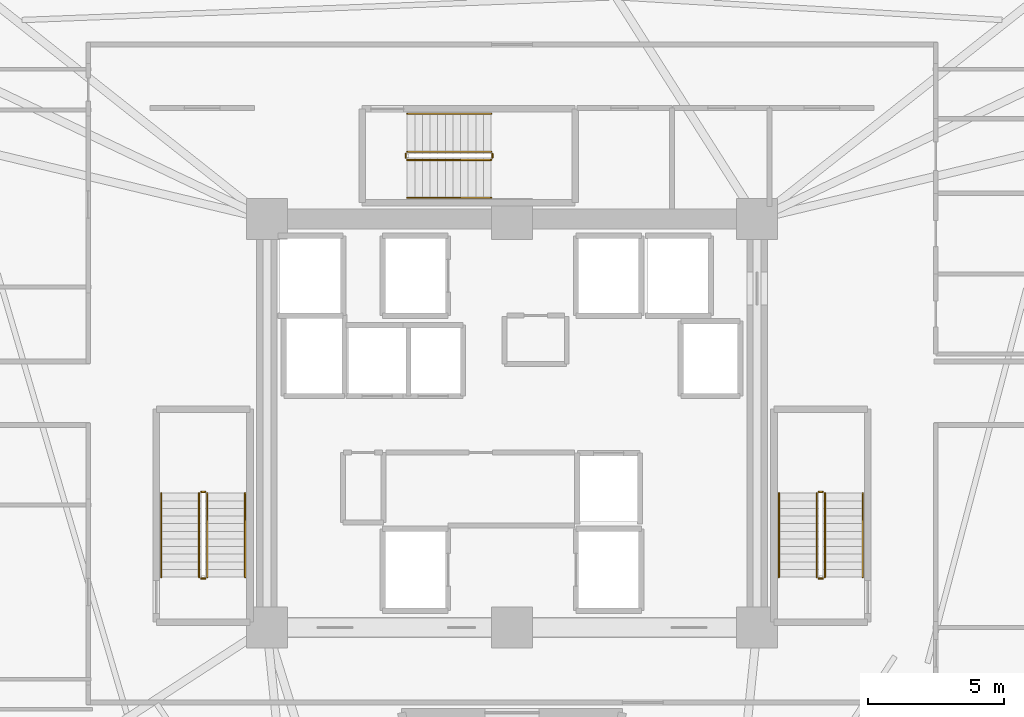
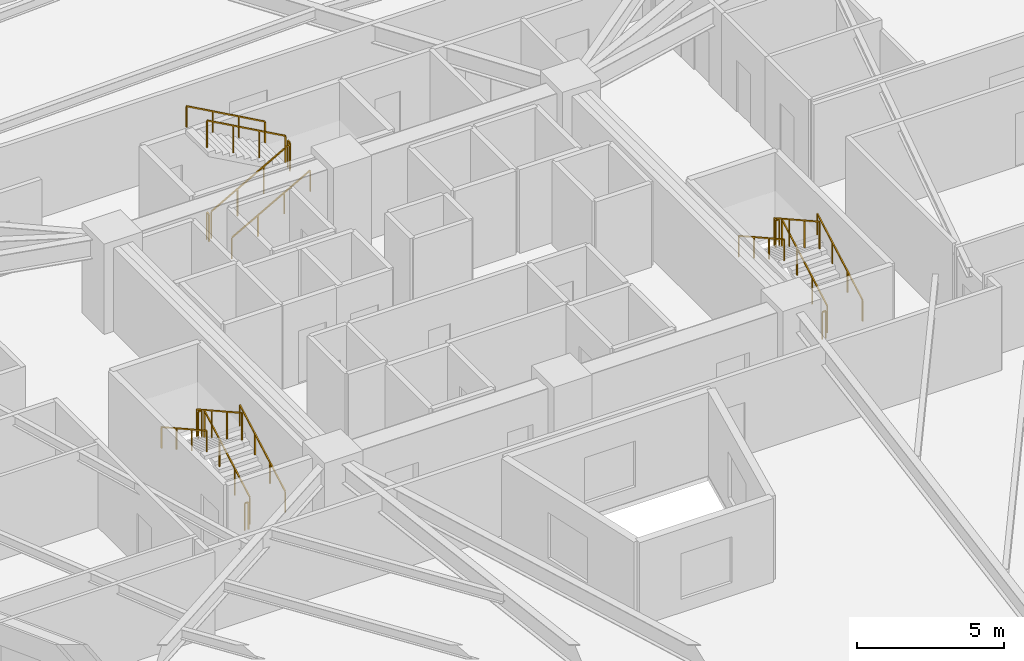
# One storey, part 8 of 8: 18 railings.
"""IFC4 building model written with IfcOpenShell, lengths in metres."""

from ifc_helpers import new_model, si_unit, direction, frame, origin, origin_2d, place, context, subcontext, project, spatial, rectangle, extrude, material, type_object, element, save


model = new_model("IFC4")

# Units and contexts
model_context = context("Model", 3, precision=1e-05, world=origin(), true_north=direction((0.0, 1.0)))
body_context = subcontext(model_context, "Body", "Model", "MODEL_VIEW")
ifc_project = project(units=[si_unit("LENGTHUNIT", "METRE"), si_unit("AREAUNIT", "SQUARE_METRE"), si_unit("VOLUMEUNIT", "CUBIC_METRE"), si_unit("PLANEANGLEUNIT", "RADIAN"), si_unit("MASSUNIT", "GRAM", prefix="KILO")], contexts=[model_context])

# Site, building, storey
site_placement = place(None, origin())
site = spatial("IfcSite", under=ifc_project, at=site_placement, CompositionType="ELEMENT")
building_placement = place(site_placement, origin())
building = spatial("IfcBuilding", under=site, at=building_placement, Name="Liaohun Quay Tower", CompositionType="ELEMENT")
storey_placement = place(building_placement, frame((0.0, 0.0, 135.75)))
storey = spatial("IfcBuildingStorey", under=building, at=storey_placement, Name="L35", CompositionType="ELEMENT", Elevation=135.75)

# Railings
ifc_material_1 = material(Name="Painted tubular steel", Category="steel")
railing_type_1 = type_object("IfcRailingType", Name="RLG-GUARD-STR", PredefinedType="GUARDRAIL", material=ifc_material_1)
railing_1_placement = place(storey_placement, frame((48.81005859375, 48.35009765625, 0.15625)))
element("IfcRailing", 1, at=railing_1_placement, inside=storey, type_object=railing_type_1, Name="L35 ST-1 stair guard 1", PredefinedType="GUARDRAIL", context=body_context, shape_type="SweptSolid", body=[
    extrude(rectangle(XDim=0.048095703125, YDim=0.048095703125, at=origin_2d()), frame((0.0, 0.0, 1.1259765625), z_axis=(0.0, 0.873225103656, 0.487317061414), x_axis=(-1.0, 0.0, 0.0)), (0.0, 0.0, 1.0), 3.52685546875),
    extrude(rectangle(XDim=0.0419921875, YDim=0.0419921875, at=origin_2d()), origin(), (0.0, 0.0, 1.0), 1.101806640625),
    extrude(rectangle(XDim=0.0419921875, YDim=0.0419921875, at=origin_2d()), frame((0.0, 1.026611328125, 0.572998046875)), (0.0, 0.0, 1.0), 1.101806640625),
    extrude(rectangle(XDim=0.0419921875, YDim=0.0419921875, at=origin_2d()), frame((0.0, 2.05322265625, 1.145751953125)), (0.0, 0.0, 1.0), 1.101806640625),
    extrude(rectangle(XDim=0.0419921875, YDim=0.0419921875, at=origin_2d()), frame((0.0, 3.079833984375, 1.71875)), (0.0, 0.0, 1.0), 1.101806640625),
])
railing_2_placement = place(storey_placement, frame((48.72998046875, 51.47998046875, 1.875)))
element("IfcRailing", 2, at=railing_2_placement, inside=storey, type_object=railing_type_1, Name="L35 ST-1 stair guard 2", PredefinedType="GUARDRAIL", context=body_context, shape_type="SweptSolid", body=[
    extrude(rectangle(XDim=0.048095703125, YDim=0.048095703125, at=origin_2d()), frame((0.0, 0.0, 1.1259765625), z_axis=(-1.0, 0.0, 0.0), x_axis=(0.0, -1.0, 0.0)), (0.0, 0.0, 1.0), 0.139892578125),
    extrude(rectangle(XDim=0.0419921875, YDim=0.0419921875, at=origin_2d()), origin(), (0.0, 0.0, 1.0), 1.101806640625),
    extrude(rectangle(XDim=0.0419921875, YDim=0.0419921875, at=origin_2d()), frame((-0.139892578125, 0.0, 0.0)), (0.0, 0.0, 1.0), 1.101806640625),
])
railing_3_placement = place(storey_placement, frame((48.510009765625, 51.429931640625, 2.03125)))
element("IfcRailing", 3, at=railing_3_placement, inside=storey, type_object=railing_type_1, Name="L35 ST-1 stair guard 3", PredefinedType="GUARDRAIL", context=body_context, shape_type="SweptSolid", body=[
    extrude(rectangle(XDim=0.048095703125, YDim=0.048095703125, at=origin_2d()), frame((0.0, 0.0, 1.1259765625), z_axis=(0.0, -0.873225103656, 0.487317061414), x_axis=(1.0, 0.0, 0.0)), (0.0, 0.0, 1.0), 3.52685546875),
    extrude(rectangle(XDim=0.0419921875, YDim=0.0419921875, at=origin_2d()), origin(), (0.0, 0.0, 1.0), 1.101806640625),
    extrude(rectangle(XDim=0.0419921875, YDim=0.0419921875, at=origin_2d()), frame((0.0, -1.026611328125, 0.572998046875)), (0.0, 0.0, 1.0), 1.101806640625),
    extrude(rectangle(XDim=0.0419921875, YDim=0.0419921875, at=origin_2d()), frame((0.0, -2.05322265625, 1.145751953125)), (0.0, 0.0, 1.0), 1.101806640625),
    extrude(rectangle(XDim=0.0419921875, YDim=0.0419921875, at=origin_2d()), frame((0.0, -3.079833984375, 1.71875)), (0.0, 0.0, 1.0), 1.101806640625),
])
railing_4_placement = place(storey_placement, frame((48.72998046875, 48.300048828125, 0.0)))
element("IfcRailing", 4, at=railing_4_placement, inside=storey, type_object=railing_type_1, Name="L35 ST-1 stair guard 4", PredefinedType="GUARDRAIL", context=body_context, shape_type="SweptSolid", body=[
    extrude(rectangle(XDim=0.048095703125, YDim=0.048095703125, at=origin_2d()), frame((0.0, 0.0, 1.1259765625), z_axis=(-1.0, 0.0, 0.0), x_axis=(0.0, -1.0, 0.0)), (0.0, 0.0, 1.0), 0.139892578125),
    extrude(rectangle(XDim=0.0419921875, YDim=0.0419921875, at=origin_2d()), origin(), (0.0, 0.0, 1.0), 1.101806640625),
    extrude(rectangle(XDim=0.0419921875, YDim=0.0419921875, at=origin_2d()), frame((-0.139892578125, 0.0, 0.0)), (0.0, 0.0, 1.0), 1.101806640625),
])
railing_5_placement = place(storey_placement, frame((71.489990234375, 48.35009765625, 0.15625)))
element("IfcRailing", 5, at=railing_5_placement, inside=storey, type_object=railing_type_1, Name="L35 ST-2 stair guard 1", PredefinedType="GUARDRAIL", context=body_context, shape_type="SweptSolid", body=[
    extrude(rectangle(XDim=0.048095703125, YDim=0.048095703125, at=origin_2d()), frame((0.0, 0.0, 1.1259765625), z_axis=(0.0, 0.873225103656, 0.487317061414), x_axis=(-1.0, 0.0, 0.0)), (0.0, 0.0, 1.0), 3.52685546875),
    extrude(rectangle(XDim=0.0419921875, YDim=0.0419921875, at=origin_2d()), origin(), (0.0, 0.0, 1.0), 1.101806640625),
    extrude(rectangle(XDim=0.0419921875, YDim=0.0419921875, at=origin_2d()), frame((0.0, 1.026611328125, 0.572998046875)), (0.0, 0.0, 1.0), 1.101806640625),
    extrude(rectangle(XDim=0.0419921875, YDim=0.0419921875, at=origin_2d()), frame((0.0, 2.05322265625, 1.145751953125)), (0.0, 0.0, 1.0), 1.101806640625),
    extrude(rectangle(XDim=0.0419921875, YDim=0.0419921875, at=origin_2d()), frame((0.0, 3.079833984375, 1.71875)), (0.0, 0.0, 1.0), 1.101806640625),
])
railing_6_placement = place(storey_placement, frame((71.409912109375, 51.47998046875, 1.875)))
element("IfcRailing", 6, at=railing_6_placement, inside=storey, type_object=railing_type_1, Name="L35 ST-2 stair guard 2", PredefinedType="GUARDRAIL", context=body_context, shape_type="SweptSolid", body=[
    extrude(rectangle(XDim=0.048095703125, YDim=0.048095703125, at=origin_2d()), frame((0.0, 0.0, 1.1259765625), z_axis=(-1.0, 0.0, 0.0), x_axis=(0.0, -1.0, 0.0)), (0.0, 0.0, 1.0), 0.139892578125),
    extrude(rectangle(XDim=0.0419921875, YDim=0.0419921875, at=origin_2d()), origin(), (0.0, 0.0, 1.0), 1.101806640625),
    extrude(rectangle(XDim=0.0419921875, YDim=0.0419921875, at=origin_2d()), frame((-0.139892578125, 0.0, 0.0)), (0.0, 0.0, 1.0), 1.101806640625),
])
railing_7_placement = place(storey_placement, frame((71.18994140625, 51.429931640625, 2.03125)))
element("IfcRailing", 7, at=railing_7_placement, inside=storey, type_object=railing_type_1, Name="L35 ST-2 stair guard 3", PredefinedType="GUARDRAIL", context=body_context, shape_type="SweptSolid", body=[
    extrude(rectangle(XDim=0.048095703125, YDim=0.048095703125, at=origin_2d()), frame((0.0, 0.0, 1.1259765625), z_axis=(0.0, -0.873225103656, 0.487317061414), x_axis=(1.0, 0.0, 0.0)), (0.0, 0.0, 1.0), 3.52685546875),
    extrude(rectangle(XDim=0.0419921875, YDim=0.0419921875, at=origin_2d()), origin(), (0.0, 0.0, 1.0), 1.101806640625),
    extrude(rectangle(XDim=0.0419921875, YDim=0.0419921875, at=origin_2d()), frame((0.0, -1.026611328125, 0.572998046875)), (0.0, 0.0, 1.0), 1.101806640625),
    extrude(rectangle(XDim=0.0419921875, YDim=0.0419921875, at=origin_2d()), frame((0.0, -2.05322265625, 1.145751953125)), (0.0, 0.0, 1.0), 1.101806640625),
    extrude(rectangle(XDim=0.0419921875, YDim=0.0419921875, at=origin_2d()), frame((0.0, -3.079833984375, 1.71875)), (0.0, 0.0, 1.0), 1.101806640625),
])
railing_8_placement = place(storey_placement, frame((71.409912109375, 48.300048828125, 0.0)))
element("IfcRailing", 8, at=railing_8_placement, inside=storey, type_object=railing_type_1, Name="L35 ST-2 stair guard 4", PredefinedType="GUARDRAIL", context=body_context, shape_type="SweptSolid", body=[
    extrude(rectangle(XDim=0.048095703125, YDim=0.048095703125, at=origin_2d()), frame((0.0, 0.0, 1.1259765625), z_axis=(-1.0, 0.0, 0.0), x_axis=(0.0, -1.0, 0.0)), (0.0, 0.0, 1.0), 0.139892578125),
    extrude(rectangle(XDim=0.0419921875, YDim=0.0419921875, at=origin_2d()), origin(), (0.0, 0.0, 1.0), 1.101806640625),
    extrude(rectangle(XDim=0.0419921875, YDim=0.0419921875, at=origin_2d()), frame((-0.139892578125, 0.0, 0.0)), (0.0, 0.0, 1.0), 1.101806640625),
])
railing_9_placement = place(storey_placement, frame((56.14990234375, 63.669921875, 0.15625)))
element("IfcRailing", 9, at=railing_9_placement, inside=storey, type_object=railing_type_1, Name="L35 ST-3 stair guard 1", PredefinedType="GUARDRAIL", context=body_context, shape_type="SweptSolid", body=[
    extrude(rectangle(XDim=0.048095703125, YDim=0.048095703125, at=origin_2d()), frame((0.0, 0.0, 1.1259765625), z_axis=(0.873241540666, 0.0, 0.487287606713), x_axis=(0.0, 1.0, 0.0)), (0.0, 0.0, 1.0), 3.527099609375),
    extrude(rectangle(XDim=0.0419921875, YDim=0.0419921875, at=origin_2d()), origin(), (0.0, 0.0, 1.0), 1.101806640625),
    extrude(rectangle(XDim=0.0419921875, YDim=0.0419921875, at=origin_2d()), frame((1.026611328125, 0.0, 0.572998046875)), (0.0, 0.0, 1.0), 1.101806640625),
    extrude(rectangle(XDim=0.0419921875, YDim=0.0419921875, at=origin_2d()), frame((2.053466796875, 0.0, 1.145751953125)), (0.0, 0.0, 1.0), 1.101806640625),
    extrude(rectangle(XDim=0.0419921875, YDim=0.0419921875, at=origin_2d()), frame((3.080078125, 0.0, 1.71875)), (0.0, 0.0, 1.0), 1.101806640625),
])
railing_10_placement = place(storey_placement, frame((59.280029296875, 63.75, 1.875)))
element("IfcRailing", 10, at=railing_10_placement, inside=storey, type_object=railing_type_1, Name="L35 ST-3 stair guard 2", PredefinedType="GUARDRAIL", context=body_context, shape_type="SweptSolid", body=[
    extrude(rectangle(XDim=0.048095703125, YDim=0.048095703125, at=origin_2d()), frame((0.0, 0.0, 1.1259765625), z_axis=(0.0, 1.0, 0.0), x_axis=(-1.0, 0.0, 0.0)), (0.0, 0.0, 1.0), 0.139892578125),
    extrude(rectangle(XDim=0.0419921875, YDim=0.0419921875, at=origin_2d()), origin(), (0.0, 0.0, 1.0), 1.101806640625),
    extrude(rectangle(XDim=0.0419921875, YDim=0.0419921875, at=origin_2d()), frame((0.0, 0.139892578125, 0.0)), (0.0, 0.0, 1.0), 1.101806640625),
])
railing_11_placement = place(storey_placement, frame((59.22998046875, 63.969970703125, 2.03125)))
element("IfcRailing", 11, at=railing_11_placement, inside=storey, type_object=railing_type_1, Name="L35 ST-3 stair guard 3", PredefinedType="GUARDRAIL", context=body_context, shape_type="SweptSolid", body=[
    extrude(rectangle(XDim=0.048095703125, YDim=0.048095703125, at=origin_2d()), frame((0.0, 0.0, 1.1259765625), z_axis=(-0.873241540666, 0.0, 0.487287606713), x_axis=(0.0, -1.0, 0.0)), (0.0, 0.0, 1.0), 3.527099609375),
    extrude(rectangle(XDim=0.0419921875, YDim=0.0419921875, at=origin_2d()), origin(), (0.0, 0.0, 1.0), 1.101806640625),
    extrude(rectangle(XDim=0.0419921875, YDim=0.0419921875, at=origin_2d()), frame((-1.026611328125, 0.0, 0.572998046875)), (0.0, 0.0, 1.0), 1.101806640625),
    extrude(rectangle(XDim=0.0419921875, YDim=0.0419921875, at=origin_2d()), frame((-2.053466796875, 0.0, 1.145751953125)), (0.0, 0.0, 1.0), 1.101806640625),
    extrude(rectangle(XDim=0.0419921875, YDim=0.0419921875, at=origin_2d()), frame((-3.080078125, 0.0, 1.71875)), (0.0, 0.0, 1.0), 1.101806640625),
])
railing_12_placement = place(storey_placement, frame((56.10009765625, 63.75, 0.0)))
element("IfcRailing", 12, at=railing_12_placement, inside=storey, type_object=railing_type_1, Name="L35 ST-3 stair guard 4", PredefinedType="GUARDRAIL", context=body_context, shape_type="SweptSolid", body=[
    extrude(rectangle(XDim=0.048095703125, YDim=0.048095703125, at=origin_2d()), frame((0.0, 0.0, 1.1259765625), z_axis=(0.0, 1.0, 0.0), x_axis=(-1.0, 0.0, 0.0)), (0.0, 0.0, 1.0), 0.139892578125),
    extrude(rectangle(XDim=0.0419921875, YDim=0.0419921875, at=origin_2d()), origin(), (0.0, 0.0, 1.0), 1.101806640625),
    extrude(rectangle(XDim=0.0419921875, YDim=0.0419921875, at=origin_2d()), frame((0.0, 0.139892578125, 0.0)), (0.0, 0.0, 1.0), 1.101806640625),
])
ifc_material_2 = material(Name="Brushed stainless steel", Category="steel")
railing_type_2 = type_object("IfcRailingType", Name="RLG-HND-STR", PredefinedType="HANDRAIL", material=ifc_material_2)
railing_13_placement = place(storey_placement, frame((50.199951171875, 48.35009765625, 0.15625)))
element("IfcRailing", 13, at=railing_13_placement, inside=storey, type_object=railing_type_2, Name="L35 ST-1 stair handrail 1", PredefinedType="HANDRAIL", context=body_context, shape_type="SweptSolid", body=[
    extrude(rectangle(XDim=0.048095703125, YDim=0.048095703125, at=origin_2d()), frame((0.0, 0.0, 0.8759765625), z_axis=(0.0, 0.873225103656, 0.487317061414), x_axis=(-1.0, 0.0, 0.0)), (0.0, 0.0, 1.0), 3.52685546875),
    extrude(rectangle(XDim=0.0419921875, YDim=0.0419921875, at=origin_2d()), origin(), (0.0, 0.0, 1.0), 0.851806640625),
    extrude(rectangle(XDim=0.0419921875, YDim=0.0419921875, at=origin_2d()), frame((0.0, 1.026611328125, 0.572998046875)), (0.0, 0.0, 1.0), 0.851806640625),
    extrude(rectangle(XDim=0.0419921875, YDim=0.0419921875, at=origin_2d()), frame((0.0, 2.05322265625, 1.145751953125)), (0.0, 0.0, 1.0), 0.851806640625),
    extrude(rectangle(XDim=0.0419921875, YDim=0.0419921875, at=origin_2d()), frame((0.0, 3.079833984375, 1.71875)), (0.0, 0.0, 1.0), 0.851806640625),
])
railing_14_placement = place(storey_placement, frame((47.1201171875, 51.429931640625, 2.03125)))
element("IfcRailing", 14, at=railing_14_placement, inside=storey, type_object=railing_type_2, Name="L35 ST-1 stair handrail 2", PredefinedType="HANDRAIL", context=body_context, shape_type="SweptSolid", body=[
    extrude(rectangle(XDim=0.048095703125, YDim=0.048095703125, at=origin_2d()), frame((0.0, 0.0, 0.8759765625), z_axis=(0.0, -0.873225103656, 0.487317061414), x_axis=(1.0, 0.0, 0.0)), (0.0, 0.0, 1.0), 3.52685546875),
    extrude(rectangle(XDim=0.0419921875, YDim=0.0419921875, at=origin_2d()), origin(), (0.0, 0.0, 1.0), 0.851806640625),
    extrude(rectangle(XDim=0.0419921875, YDim=0.0419921875, at=origin_2d()), frame((0.0, -1.026611328125, 0.572998046875)), (0.0, 0.0, 1.0), 0.851806640625),
    extrude(rectangle(XDim=0.0419921875, YDim=0.0419921875, at=origin_2d()), frame((0.0, -2.05322265625, 1.145751953125)), (0.0, 0.0, 1.0), 0.851806640625),
    extrude(rectangle(XDim=0.0419921875, YDim=0.0419921875, at=origin_2d()), frame((0.0, -3.079833984375, 1.71875)), (0.0, 0.0, 1.0), 0.851806640625),
])
railing_15_placement = place(storey_placement, frame((72.8798828125, 48.35009765625, 0.15625)))
element("IfcRailing", 15, at=railing_15_placement, inside=storey, type_object=railing_type_2, Name="L35 ST-2 stair handrail 1", PredefinedType="HANDRAIL", context=body_context, shape_type="SweptSolid", body=[
    extrude(rectangle(XDim=0.048095703125, YDim=0.048095703125, at=origin_2d()), frame((0.0, 0.0, 0.8759765625), z_axis=(0.0, 0.873225103656, 0.487317061414), x_axis=(-1.0, 0.0, 0.0)), (0.0, 0.0, 1.0), 3.52685546875),
    extrude(rectangle(XDim=0.0419921875, YDim=0.0419921875, at=origin_2d()), origin(), (0.0, 0.0, 1.0), 0.851806640625),
    extrude(rectangle(XDim=0.0419921875, YDim=0.0419921875, at=origin_2d()), frame((0.0, 1.026611328125, 0.572998046875)), (0.0, 0.0, 1.0), 0.851806640625),
    extrude(rectangle(XDim=0.0419921875, YDim=0.0419921875, at=origin_2d()), frame((0.0, 2.05322265625, 1.145751953125)), (0.0, 0.0, 1.0), 0.851806640625),
    extrude(rectangle(XDim=0.0419921875, YDim=0.0419921875, at=origin_2d()), frame((0.0, 3.079833984375, 1.71875)), (0.0, 0.0, 1.0), 0.851806640625),
])
railing_16_placement = place(storey_placement, frame((69.800048828125, 51.429931640625, 2.03125)))
element("IfcRailing", 16, at=railing_16_placement, inside=storey, type_object=railing_type_2, Name="L35 ST-2 stair handrail 2", PredefinedType="HANDRAIL", context=body_context, shape_type="SweptSolid", body=[
    extrude(rectangle(XDim=0.048095703125, YDim=0.048095703125, at=origin_2d()), frame((0.0, 0.0, 0.8759765625), z_axis=(0.0, -0.873225103656, 0.487317061414), x_axis=(1.0, 0.0, 0.0)), (0.0, 0.0, 1.0), 3.52685546875),
    extrude(rectangle(XDim=0.0419921875, YDim=0.0419921875, at=origin_2d()), origin(), (0.0, 0.0, 1.0), 0.851806640625),
    extrude(rectangle(XDim=0.0419921875, YDim=0.0419921875, at=origin_2d()), frame((0.0, -1.026611328125, 0.572998046875)), (0.0, 0.0, 1.0), 0.851806640625),
    extrude(rectangle(XDim=0.0419921875, YDim=0.0419921875, at=origin_2d()), frame((0.0, -2.05322265625, 1.145751953125)), (0.0, 0.0, 1.0), 0.851806640625),
    extrude(rectangle(XDim=0.0419921875, YDim=0.0419921875, at=origin_2d()), frame((0.0, -3.079833984375, 1.71875)), (0.0, 0.0, 1.0), 0.851806640625),
])
railing_17_placement = place(storey_placement, frame((56.14990234375, 62.280029296875, 0.15625)))
element("IfcRailing", 17, at=railing_17_placement, inside=storey, type_object=railing_type_2, Name="L35 ST-3 stair handrail 1", PredefinedType="HANDRAIL", context=body_context, shape_type="SweptSolid", body=[
    extrude(rectangle(XDim=0.048095703125, YDim=0.048095703125, at=origin_2d()), frame((0.0, 0.0, 0.8759765625), z_axis=(0.873241540666, 0.0, 0.487287606713), x_axis=(0.0, 1.0, 0.0)), (0.0, 0.0, 1.0), 3.527099609375),
    extrude(rectangle(XDim=0.0419921875, YDim=0.0419921875, at=origin_2d()), origin(), (0.0, 0.0, 1.0), 0.851806640625),
    extrude(rectangle(XDim=0.0419921875, YDim=0.0419921875, at=origin_2d()), frame((1.026611328125, 0.0, 0.572998046875)), (0.0, 0.0, 1.0), 0.851806640625),
    extrude(rectangle(XDim=0.0419921875, YDim=0.0419921875, at=origin_2d()), frame((2.053466796875, 0.0, 1.145751953125)), (0.0, 0.0, 1.0), 0.851806640625),
    extrude(rectangle(XDim=0.0419921875, YDim=0.0419921875, at=origin_2d()), frame((3.080078125, 0.0, 1.71875)), (0.0, 0.0, 1.0), 0.851806640625),
])
railing_18_placement = place(storey_placement, frame((59.22998046875, 65.360107421875, 2.03125)))
element("IfcRailing", 18, at=railing_18_placement, inside=storey, type_object=railing_type_2, Name="L35 ST-3 stair handrail 2", PredefinedType="HANDRAIL", context=body_context, shape_type="SweptSolid", body=[
    extrude(rectangle(XDim=0.048095703125, YDim=0.048095703125, at=origin_2d()), frame((0.0, 0.0, 0.8759765625), z_axis=(-0.873241540666, 0.0, 0.487287606713), x_axis=(0.0, -1.0, 0.0)), (0.0, 0.0, 1.0), 3.527099609375),
    extrude(rectangle(XDim=0.0419921875, YDim=0.0419921875, at=origin_2d()), origin(), (0.0, 0.0, 1.0), 0.851806640625),
    extrude(rectangle(XDim=0.0419921875, YDim=0.0419921875, at=origin_2d()), frame((-1.026611328125, 0.0, 0.572998046875)), (0.0, 0.0, 1.0), 0.851806640625),
    extrude(rectangle(XDim=0.0419921875, YDim=0.0419921875, at=origin_2d()), frame((-2.053466796875, 0.0, 1.145751953125)), (0.0, 0.0, 1.0), 0.851806640625),
    extrude(rectangle(XDim=0.0419921875, YDim=0.0419921875, at=origin_2d()), frame((-3.080078125, 0.0, 1.71875)), (0.0, 0.0, 1.0), 0.851806640625),
])

save(model, "model.ifc")
